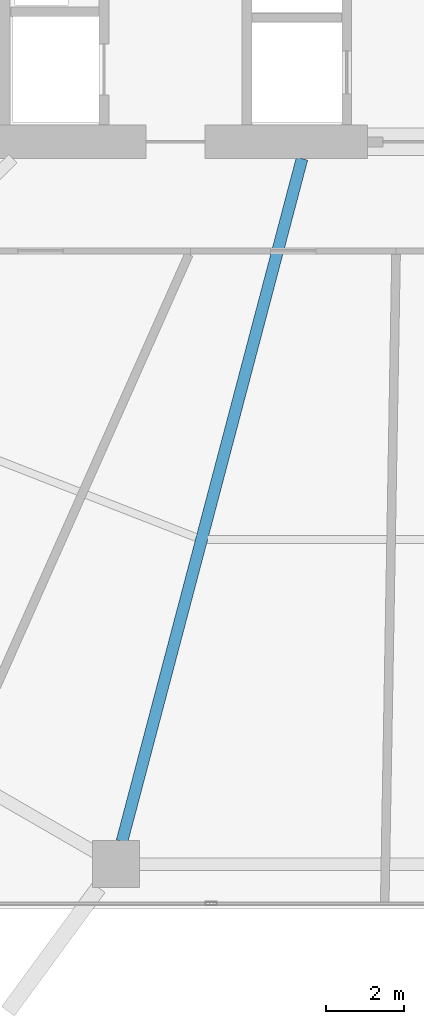
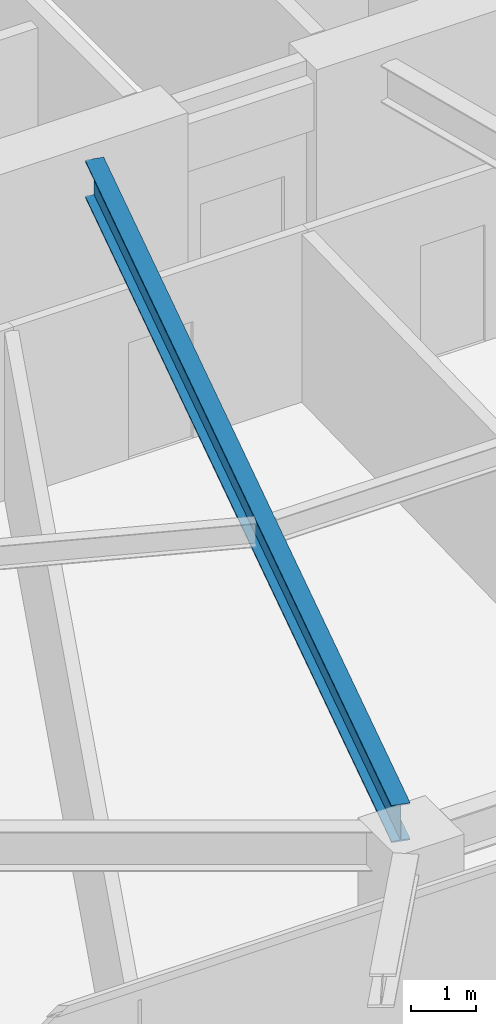
# One storey, part 4 of 25: 1 beam.
"""IFC4 building model written with IfcOpenShell, lengths in metres."""

from ifc_helpers import new_model, si_unit, direction, frame, origin, origin_2d, place, context, subcontext, project, spatial, i_section, extrude, material, material_profile, profile_set, type_object, element, save


model = new_model("IFC4")

# Units and contexts
model_context = context("Model", 3, precision=1e-05, world=origin(), true_north=direction((0.0, 1.0)))
body_context = subcontext(model_context, "Body", "Model", "MODEL_VIEW")
ifc_project = project(units=[si_unit("LENGTHUNIT", "METRE"), si_unit("AREAUNIT", "SQUARE_METRE"), si_unit("VOLUMEUNIT", "CUBIC_METRE"), si_unit("PLANEANGLEUNIT", "RADIAN"), si_unit("MASSUNIT", "GRAM", prefix="KILO")], contexts=[model_context])

# Site, building, storey
site_placement = place(None, origin())
site = spatial("IfcSite", under=ifc_project, at=site_placement, CompositionType="ELEMENT")
building_placement = place(site_placement, origin())
building = spatial("IfcBuilding", under=site, at=building_placement, Name="Zuhravey Tower", CompositionType="ELEMENT")
storey_placement = place(building_placement, frame((0.0, 0.0, 70.800048828125)))
storey = spatial("IfcBuildingStorey", under=building, at=storey_placement, Name="L17", CompositionType="ELEMENT", Elevation=70.800048828125)

# Beam
ifc_material = material(Name="Steel SM355", Category="steel")
ifc_material_profile = material_profile(ifc_material, i_section(OverallWidth=0.300048828125, OverallDepth=0.699951171875, WebThickness=0.012939453125, FlangeThickness=0.02392578125, at=origin_2d()), Name="H-700x300x13x24")
ifc_profile_set = profile_set([ifc_material_profile], Name="Steel SM355")
beam_type = type_object("IfcBeamType", Name="Radial Primary Girder H700x300", PredefinedType="BEAM", material=ifc_profile_set)
beam_placement = place(storey_placement, frame((33.382080078125, 22.072021484375, 3.570068359375), z_axis=(-0.254989720435, -0.966943763862, 0.0), x_axis=(0.966943763862, -0.254989720435, 0.0)))
element("IfcBeam", 1, at=beam_placement, inside=storey, type_object=beam_type, Name="L17 RG1 BM-L17-RAD-09", PredefinedType="BEAM", context=body_context, shape_type="SweptSolid", body=[
    extrude(i_section(OverallWidth=0.300048828125, OverallDepth=0.699951171875, WebThickness=0.012939453125, FlangeThickness=0.02392578125, at=origin_2d()), origin(), (0.0, 0.0, 1.0), 18.03369140625),
])

save(model, "model.ifc")
